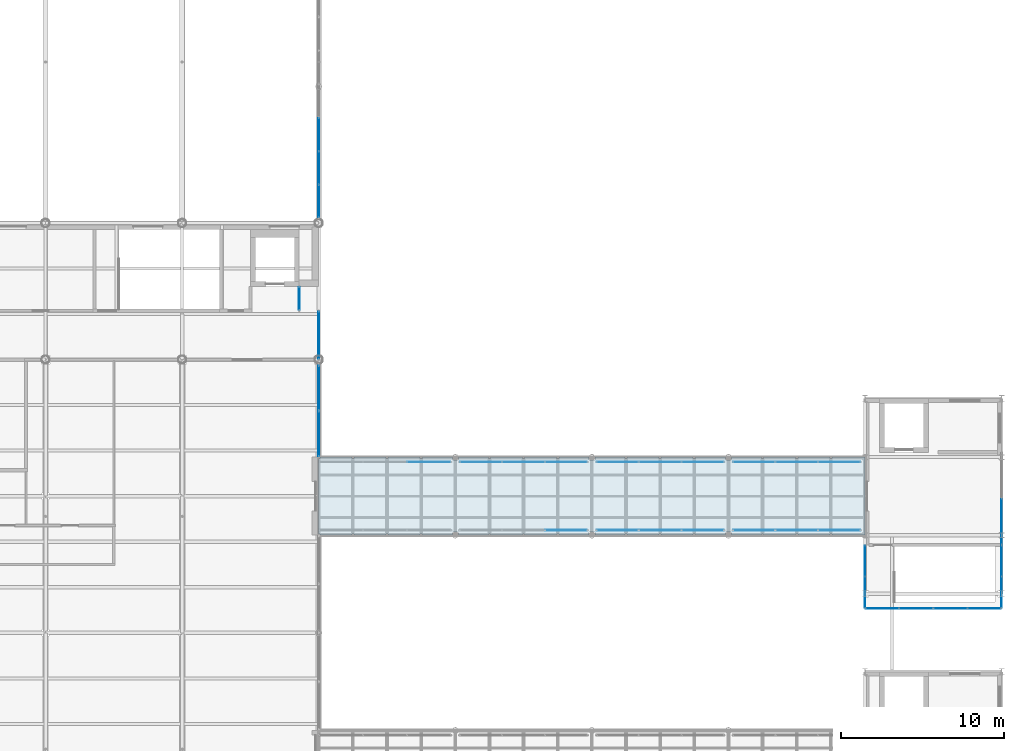
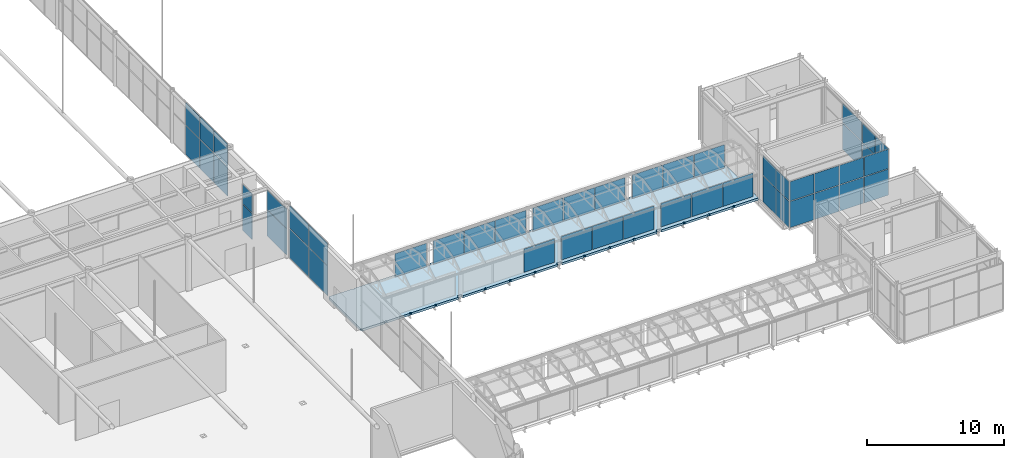
# One storey, part 146 of 167: 49 plates, 1 slab, 15 elements without a shape of their own.
"""IFC4 building model written with IfcOpenShell, lengths in metres."""

from ifc_helpers import new_model, si_unit, direction, frame, origin, origin_2d, place, context, subcontext, project, spatial, polyline, rectangle, outline, extrude, material, layer, layer_set, type_object, element, aggregate, save


model = new_model("IFC4")

# Units and contexts
model_context = context("Model", 3, precision=1e-05, world=origin(), true_north=direction((0.0, 1.0)))
body_context = subcontext(model_context, "Body", "Model", "MODEL_VIEW")
ifc_project = project(units=[si_unit("LENGTHUNIT", "METRE"), si_unit("AREAUNIT", "SQUARE_METRE"), si_unit("VOLUMEUNIT", "CUBIC_METRE"), si_unit("PLANEANGLEUNIT", "RADIAN"), si_unit("MASSUNIT", "GRAM", prefix="KILO")], contexts=[model_context])

# Site, building, storey
site_placement = place(None, origin())
site = spatial("IfcSite", under=ifc_project, at=site_placement, CompositionType="ELEMENT")
building_placement = place(site_placement, origin())
building = spatial("IfcBuilding", under=site, at=building_placement, Name="Catenary Quay Ferry Terminal", CompositionType="ELEMENT")
storey_placement = place(building_placement, frame((0.0, 0.0, 6.0)))
storey = spatial("IfcBuildingStorey", under=building, at=storey_placement, Name="L01", CompositionType="ELEMENT", Elevation=6.0)

# Slab
ifc_material_1 = material(Name="Concrete C35/45", Category="concrete")
ifc_layer_1 = layer(ifc_material_1, 0.199951171875)
ifc_layer_set_1 = layer_set([ifc_layer_1], Name="Composite floor slab 200")
slab_type = type_object("IfcSlabType", Name="Composite floor slab 200", PredefinedType="FLOOR", material=ifc_layer_set_1)
slab_placement = place(storey_placement, frame((0.0, 0.0, -0.199951171875)))
element("IfcSlab", 1, at=slab_placement, inside=storey, type_object=slab_type, Name="Boarding bridge floor slab BB2", PredefinedType="FLOOR", context=body_context, shape_type="SweptSolid", body=[
    extrude(outline(polyline([(126.0, 94.800048828125), (126.0, 90.0), (123.967041015625, 90.0), (123.967041015625, 90.06689453125), (123.8330078125, 90.06689453125), (123.8330078125, 90.0), (121.866943359375, 90.0), (121.866943359375, 90.06689453125), (121.73291015625, 90.06689453125), (121.73291015625, 90.0), (119.76708984375, 90.0), (119.76708984375, 90.06689453125), (119.633056640625, 90.06689453125), (119.633056640625, 90.0), (117.787841796875, 90.0), (117.787841796875, 90.187744140625), (117.412109375, 90.187744140625), (117.412109375, 90.0), (115.56689453125, 90.0), (115.56689453125, 90.06689453125), (115.43310546875, 90.06689453125), (115.43310546875, 90.0), (113.467041015625, 90.0), (113.467041015625, 90.06689453125), (113.3330078125, 90.06689453125), (113.3330078125, 90.0), (111.366943359375, 90.0), (111.366943359375, 90.06689453125), (111.23291015625, 90.06689453125), (111.23291015625, 90.0), (109.3876953125, 90.0), (109.3876953125, 90.187744140625), (109.01220703125, 90.187744140625), (109.01220703125, 90.0), (107.1669921875, 90.0), (107.1669921875, 90.06689453125), (107.032958984375, 90.06689453125), (107.032958984375, 90.0), (105.06689453125, 90.0), (105.06689453125, 90.06689453125), (104.93310546875, 90.06689453125), (104.93310546875, 90.0), (102.967041015625, 90.0), (102.967041015625, 90.06689453125), (102.8330078125, 90.06689453125), (102.8330078125, 90.0), (100.98779296875, 90.0), (100.98779296875, 90.187744140625), (100.6123046875, 90.187744140625), (100.6123046875, 90.0), (98.76708984375, 90.0), (98.76708984375, 90.06689453125), (98.633056640625, 90.06689453125), (98.633056640625, 90.0), (96.6669921875, 90.0), (96.6669921875, 90.06689453125), (96.532958984375, 90.06689453125), (96.532958984375, 90.0), (94.56689453125, 90.0), (94.56689453125, 90.06689453125), (94.43310546875, 90.06689453125), (94.43310546875, 90.0), (92.467041015625, 90.0), (92.467041015625, 90.06689453125), (92.39990234375, 90.06689453125), (92.39990234375, 94.73291015625), (92.467041015625, 94.73291015625), (92.467041015625, 94.800048828125), (94.43310546875, 94.800048828125), (94.43310546875, 94.73291015625), (94.56689453125, 94.73291015625), (94.56689453125, 94.800048828125), (96.532958984375, 94.800048828125), (96.532958984375, 94.73291015625), (96.6669921875, 94.73291015625), (96.6669921875, 94.800048828125), (98.633056640625, 94.800048828125), (98.633056640625, 94.73291015625), (98.76708984375, 94.73291015625), (98.76708984375, 94.800048828125), (100.6123046875, 94.800048828125), (100.6123046875, 94.6123046875), (100.98779296875, 94.6123046875), (100.98779296875, 94.800048828125), (102.8330078125, 94.800048828125), (102.8330078125, 94.73291015625), (102.967041015625, 94.73291015625), (102.967041015625, 94.800048828125), (104.93310546875, 94.800048828125), (104.93310546875, 94.73291015625), (105.06689453125, 94.73291015625), (105.06689453125, 94.800048828125), (107.032958984375, 94.800048828125), (107.032958984375, 94.73291015625), (107.1669921875, 94.73291015625), (107.1669921875, 94.800048828125), (109.01220703125, 94.800048828125), (109.01220703125, 94.6123046875), (109.3876953125, 94.6123046875), (109.3876953125, 94.800048828125), (111.23291015625, 94.800048828125), (111.23291015625, 94.73291015625), (111.366943359375, 94.73291015625), (111.366943359375, 94.800048828125), (113.3330078125, 94.800048828125), (113.3330078125, 94.73291015625), (113.467041015625, 94.73291015625), (113.467041015625, 94.800048828125), (115.43310546875, 94.800048828125), (115.43310546875, 94.73291015625), (115.56689453125, 94.73291015625), (115.56689453125, 94.800048828125), (117.412109375, 94.800048828125), (117.412109375, 94.6123046875), (117.787841796875, 94.6123046875), (117.787841796875, 94.800048828125), (119.633056640625, 94.800048828125), (119.633056640625, 94.73291015625), (119.76708984375, 94.73291015625), (119.76708984375, 94.800048828125), (121.73291015625, 94.800048828125), (121.73291015625, 94.73291015625), (121.866943359375, 94.73291015625), (121.866943359375, 94.800048828125), (123.8330078125, 94.800048828125), (123.8330078125, 94.73291015625), (123.967041015625, 94.73291015625), (123.967041015625, 94.800048828125), (126.0, 94.800048828125)])), origin(), (0.0, 0.0, 1.0), 0.199951171875),
])

# Curtain wall, plates
ifc_material_2 = material(Name="Aluminium and glass", Category="aluminium")
curtain_wall_type_1 = type_object("IfcCurtainWallType", Name="CWM", PredefinedType="NOTDEFINED", material=ifc_material_2)
curtain_wall_1_placement = place(storey_placement, origin())
curtain_wall_1 = element("IfcCurtainWall", 2, at=curtain_wall_1_placement, inside=storey, type_object=curtain_wall_type_1, Name="Gable arrivals hall curtain wall CW11", PredefinedType="NOTDEFINED")
ifc_material_3 = material(Name="Glass", Category="glass")
ifc_layer_2 = layer(ifc_material_3, 0.031982421875)
ifc_layer_set_2 = layer_set([ifc_layer_2], Name="PN1")
plate_type_1 = type_object("IfcPlateType", Name="PN1", PredefinedType="CURTAIN_PANEL", material=ifc_layer_set_2)
plate_1_placement = place(storey_placement, frame((92.39990234375, 96.242431640625, 0.06005859375), z_axis=(0.0, 0.0, 1.0), x_axis=(0.0, 1.0, 0.0)))
plate_1 = element("IfcPlate", 3, at=plate_1_placement, type_object=plate_type_1, Name="CW11 panel 1.1", PredefinedType="CURTAIN_PANEL", context=body_context, shape_type="SweptSolid", body=[
    extrude(rectangle(XDim=2.7451171875, YDim=0.031982421875, at=origin_2d()), origin(), (0.0, 0.0, 1.0), 2.610107421875),
])
plate_2_placement = place(storey_placement, frame((92.39990234375, 96.242431640625, 2.72998046875), z_axis=(0.0, 0.0, 1.0), x_axis=(0.0, 1.0, 0.0)))
plate_2 = element("IfcPlate", 4, at=plate_2_placement, type_object=plate_type_1, Name="CW11 panel 1.2", PredefinedType="CURTAIN_PANEL", context=body_context, shape_type="SweptSolid", body=[
    extrude(rectangle(XDim=2.7451171875, YDim=0.031982421875, at=origin_2d()), origin(), (0.0, 0.0, 1.0), 2.010009765625),
])
plate_3_placement = place(storey_placement, frame((92.39990234375, 99.0576171875, 0.06005859375), z_axis=(0.0, 0.0, 1.0), x_axis=(0.0, 1.0, 0.0)))
plate_3 = element("IfcPlate", 5, at=plate_3_placement, type_object=plate_type_1, Name="CW11 panel 2.1", PredefinedType="CURTAIN_PANEL", context=body_context, shape_type="SweptSolid", body=[
    extrude(rectangle(XDim=2.7451171875, YDim=0.031982421875, at=origin_2d()), origin(), (0.0, 0.0, 1.0), 2.610107421875),
])
plate_4_placement = place(storey_placement, frame((92.39990234375, 99.0576171875, 2.72998046875), z_axis=(0.0, 0.0, 1.0), x_axis=(0.0, 1.0, 0.0)))
plate_4 = element("IfcPlate", 6, at=plate_4_placement, type_object=plate_type_1, Name="CW11 panel 2.2", PredefinedType="CURTAIN_PANEL", context=body_context, shape_type="SweptSolid", body=[
    extrude(rectangle(XDim=2.7451171875, YDim=0.031982421875, at=origin_2d()), origin(), (0.0, 0.0, 1.0), 2.010009765625),
])
aggregate(curtain_wall_1, [plate_1, plate_2, plate_3, plate_4])

ifc_material_4 = material(Name="Aluminium and glass", Category="aluminium")
curtain_wall_type_2 = type_object("IfcCurtainWallType", Name="CWG", PredefinedType="NOTDEFINED", material=ifc_material_4)
curtain_wall_2_placement = place(storey_placement, origin())
curtain_wall_2 = element("IfcCurtainWall", 7, at=curtain_wall_2_placement, inside=storey, type_object=curtain_wall_type_2, Name="Gable departure hall curtain wall CW20", PredefinedType="NOTDEFINED")
plate_5_placement = place(storey_placement, frame((92.39990234375, 110.546142578125, 0.06005859375), z_axis=(0.0, 0.0, 1.0), x_axis=(0.0, 1.0, 0.0)))
plate_5 = element("IfcPlate", 8, at=plate_5_placement, type_object=plate_type_1, Name="CW20 panel 1.1", PredefinedType="CURTAIN_PANEL", context=body_context, shape_type="SweptSolid", body=[
    extrude(rectangle(XDim=1.972412109375, YDim=0.031982421875, at=origin_2d()), origin(), (0.0, 0.0, 1.0), 2.610107421875),
])
plate_6_placement = place(storey_placement, frame((92.39990234375, 110.546142578125, 2.72998046875), z_axis=(0.0, 0.0, 1.0), x_axis=(0.0, 1.0, 0.0)))
plate_6 = element("IfcPlate", 9, at=plate_6_placement, type_object=plate_type_1, Name="CW20 panel 1.2", PredefinedType="CURTAIN_PANEL", context=body_context, shape_type="SweptSolid", body=[
    extrude(rectangle(XDim=1.972412109375, YDim=0.031982421875, at=origin_2d()), origin(), (0.0, 0.0, 1.0), 2.010009765625),
])
plate_7_placement = place(storey_placement, frame((92.39990234375, 112.59375, 0.06005859375), z_axis=(0.0, 0.0, 1.0), x_axis=(0.0, 1.0, 0.0)))
plate_7 = element("IfcPlate", 10, at=plate_7_placement, type_object=plate_type_1, Name="CW20 panel 2.1", PredefinedType="CURTAIN_PANEL", context=body_context, shape_type="SweptSolid", body=[
    extrude(rectangle(XDim=2.00244140625, YDim=0.031982421875, at=origin_2d()), origin(), (0.0, 0.0, 1.0), 2.610107421875),
])
plate_8_placement = place(storey_placement, frame((92.39990234375, 112.59375, 2.72998046875), z_axis=(0.0, 0.0, 1.0), x_axis=(0.0, 1.0, 0.0)))
plate_8 = element("IfcPlate", 11, at=plate_8_placement, type_object=plate_type_1, Name="CW20 panel 2.2", PredefinedType="CURTAIN_PANEL", context=body_context, shape_type="SweptSolid", body=[
    extrude(rectangle(XDim=2.00244140625, YDim=0.031982421875, at=origin_2d()), origin(), (0.0, 0.0, 1.0), 2.010009765625),
])
plate_9_placement = place(storey_placement, frame((92.39990234375, 114.65625, 0.06005859375), z_axis=(0.0, 0.0, 1.0), x_axis=(0.0, 1.0, 0.0)))
plate_9 = element("IfcPlate", 12, at=plate_9_placement, type_object=plate_type_1, Name="CW20 panel 3.1", PredefinedType="CURTAIN_PANEL", context=body_context, shape_type="SweptSolid", body=[
    extrude(rectangle(XDim=2.00244140625, YDim=0.031982421875, at=origin_2d()), origin(), (0.0, 0.0, 1.0), 2.610107421875),
])
plate_10_placement = place(storey_placement, frame((92.39990234375, 114.65625, 2.72998046875), z_axis=(0.0, 0.0, 1.0), x_axis=(0.0, 1.0, 0.0)))
plate_10 = element("IfcPlate", 13, at=plate_10_placement, type_object=plate_type_1, Name="CW20 panel 3.2", PredefinedType="CURTAIN_PANEL", context=body_context, shape_type="SweptSolid", body=[
    extrude(rectangle(XDim=2.00244140625, YDim=0.031982421875, at=origin_2d()), origin(), (0.0, 0.0, 1.0), 2.010009765625),
])
aggregate(curtain_wall_2, [plate_5, plate_6, plate_7, plate_8, plate_9, plate_10])

ifc_material_5 = material(Name="Aluminium and glass", Category="aluminium")
curtain_wall_type_3 = type_object("IfcCurtainWallType", Name="CWT", PredefinedType="NOTDEFINED", material=ifc_material_5)
curtain_wall_3_placement = place(storey_placement, origin())
curtain_wall_3 = element("IfcCurtainWall", 14, at=curtain_wall_3_placement, inside=storey, type_object=curtain_wall_type_3, Name="Spine corridor curtain wall CW74", PredefinedType="NOTDEFINED")
ifc_material_6 = material(Name="Glass", Category="glass")
ifc_layer_3 = layer(ifc_material_6, 0.0400390625)
ifc_layer_set_3 = layer_set([ifc_layer_3], Name="PN2")
plate_type_2 = type_object("IfcPlateType", Name="PN2", PredefinedType="CURTAIN_PANEL", material=ifc_layer_set_3)
plate_11_placement = place(storey_placement, frame((91.199951171875, 104.550048828125, 0.0498046875), z_axis=(0.0, 0.0, 1.0), x_axis=(0.0, 1.0, 0.0)))
plate_11 = element("IfcPlate", 15, at=plate_11_placement, type_object=plate_type_2, Name="CW74 panel 1.1", PredefinedType="CURTAIN_PANEL", context=body_context, shape_type="SweptSolid", body=[
    extrude(rectangle(XDim=1.3798828125, YDim=0.0400390625, at=origin_2d()), origin(), (0.0, 0.0, 1.0), 2.324951171875),
])
plate_12_placement = place(storey_placement, frame((91.199951171875, 104.550048828125, 2.425048828125), z_axis=(0.0, 0.0, 1.0), x_axis=(0.0, 1.0, 0.0)))
plate_12 = element("IfcPlate", 16, at=plate_12_placement, type_object=plate_type_2, Name="CW74 panel 1.2", PredefinedType="CURTAIN_PANEL", context=body_context, shape_type="SweptSolid", body=[
    extrude(rectangle(XDim=1.3798828125, YDim=0.0400390625, at=origin_2d()), origin(), (0.0, 0.0, 1.0), 1.72509765625),
])
aggregate(curtain_wall_3, [plate_11, plate_12])

curtain_wall_4_placement = place(storey_placement, origin())
curtain_wall_4 = element("IfcCurtainWall", 17, at=curtain_wall_4_placement, inside=storey, type_object=curtain_wall_type_3, Name="Spine corridor curtain wall CW75", PredefinedType="NOTDEFINED")
plate_13_placement = place(storey_placement, frame((92.39990234375, 102.300048828125, 0.0498046875), z_axis=(0.0, 0.0, 1.0), x_axis=(0.0, 1.0, 0.0)))
plate_13 = element("IfcPlate", 18, at=plate_13_placement, type_object=plate_type_2, Name="CW75 panel 1.1", PredefinedType="CURTAIN_PANEL", context=body_context, shape_type="SweptSolid", body=[
    extrude(rectangle(XDim=2.8798828125, YDim=0.0400390625, at=origin_2d()), origin(), (0.0, 0.0, 1.0), 2.324951171875),
])
plate_14_placement = place(storey_placement, frame((92.39990234375, 102.300048828125, 2.425048828125), z_axis=(0.0, 0.0, 1.0), x_axis=(0.0, 1.0, 0.0)))
plate_14 = element("IfcPlate", 19, at=plate_14_placement, type_object=plate_type_2, Name="CW75 panel 1.2", PredefinedType="CURTAIN_PANEL", context=body_context, shape_type="SweptSolid", body=[
    extrude(rectangle(XDim=2.8798828125, YDim=0.0400390625, at=origin_2d()), origin(), (0.0, 0.0, 1.0), 1.72509765625),
])
aggregate(curtain_wall_4, [plate_13, plate_14])

ifc_material_7 = material(Name="Aluminium and glass", Category="aluminium")
curtain_wall_type_4 = type_object("IfcCurtainWallType", Name="CWK", PredefinedType="NOTDEFINED", material=ifc_material_7)
curtain_wall_5_placement = place(storey_placement, origin())
curtain_wall_5 = element("IfcCurtainWall", 20, at=curtain_wall_5_placement, inside=storey, type_object=curtain_wall_type_4, Name="Head berth 2 stair curtain wall CW88", PredefinedType="NOTDEFINED")
ifc_material_8 = material(Name="Glass", Category="glass")
ifc_layer_4 = layer(ifc_material_8, 0.02490234375)
ifc_layer_set_4 = layer_set([ifc_layer_4], Name="PN3")
plate_type_3 = type_object("IfcPlateType", Name="PN3", PredefinedType="CURTAIN_PANEL", material=ifc_layer_set_4)
plate_15_placement = place(storey_placement, frame((127.0625, 85.5, 0.0498046875), z_axis=(0.0, 0.0, 1.0), x_axis=(1.0, 0.0, 0.0)))
plate_15 = element("IfcPlate", 21, at=plate_15_placement, type_object=plate_type_3, Name="CW88 panel 1.1", PredefinedType="CURTAIN_PANEL", context=body_context, shape_type="SweptSolid", body=[
    extrude(rectangle(XDim=2.02490234375, YDim=0.02490234375, at=origin_2d()), origin(), (0.0, 0.0, 1.0), 2.324951171875),
])
plate_16_placement = place(storey_placement, frame((127.0625, 85.5, 2.425048828125), z_axis=(0.0, 0.0, 1.0), x_axis=(1.0, 0.0, 0.0)))
plate_16 = element("IfcPlate", 22, at=plate_16_placement, type_object=plate_type_3, Name="CW88 panel 1.2", PredefinedType="CURTAIN_PANEL", context=body_context, shape_type="SweptSolid", body=[
    extrude(rectangle(XDim=2.02490234375, YDim=0.02490234375, at=origin_2d()), origin(), (0.0, 0.0, 1.0), 1.72509765625),
])
plate_17_placement = place(storey_placement, frame((129.14990234375, 85.5, 0.0498046875), z_axis=(0.0, 0.0, 1.0), x_axis=(1.0, 0.0, 0.0)))
plate_17 = element("IfcPlate", 23, at=plate_17_placement, type_object=plate_type_3, Name="CW88 panel 2.1", PredefinedType="CURTAIN_PANEL", context=body_context, shape_type="SweptSolid", body=[
    extrude(rectangle(XDim=2.050048828125, YDim=0.02490234375, at=origin_2d()), origin(), (0.0, 0.0, 1.0), 2.324951171875),
])
plate_18_placement = place(storey_placement, frame((129.14990234375, 85.5, 2.425048828125), z_axis=(0.0, 0.0, 1.0), x_axis=(1.0, 0.0, 0.0)))
plate_18 = element("IfcPlate", 24, at=plate_18_placement, type_object=plate_type_3, Name="CW88 panel 2.2", PredefinedType="CURTAIN_PANEL", context=body_context, shape_type="SweptSolid", body=[
    extrude(rectangle(XDim=2.050048828125, YDim=0.02490234375, at=origin_2d()), origin(), (0.0, 0.0, 1.0), 1.72509765625),
])
plate_19_placement = place(storey_placement, frame((131.25, 85.5, 0.0498046875), z_axis=(0.0, 0.0, 1.0), x_axis=(1.0, 0.0, 0.0)))
plate_19 = element("IfcPlate", 25, at=plate_19_placement, type_object=plate_type_3, Name="CW88 panel 3.1", PredefinedType="CURTAIN_PANEL", context=body_context, shape_type="SweptSolid", body=[
    extrude(rectangle(XDim=2.050048828125, YDim=0.02490234375, at=origin_2d()), origin(), (0.0, 0.0, 1.0), 2.324951171875),
])
plate_20_placement = place(storey_placement, frame((131.25, 85.5, 2.425048828125), z_axis=(0.0, 0.0, 1.0), x_axis=(1.0, 0.0, 0.0)))
plate_20 = element("IfcPlate", 26, at=plate_20_placement, type_object=plate_type_3, Name="CW88 panel 3.2", PredefinedType="CURTAIN_PANEL", context=body_context, shape_type="SweptSolid", body=[
    extrude(rectangle(XDim=2.050048828125, YDim=0.02490234375, at=origin_2d()), origin(), (0.0, 0.0, 1.0), 1.72509765625),
])
plate_21_placement = place(storey_placement, frame((133.33740234375, 85.5, 0.0498046875), z_axis=(0.0, 0.0, 1.0), x_axis=(1.0, 0.0, 0.0)))
plate_21 = element("IfcPlate", 27, at=plate_21_placement, type_object=plate_type_3, Name="CW88 panel 4.1", PredefinedType="CURTAIN_PANEL", context=body_context, shape_type="SweptSolid", body=[
    extrude(rectangle(XDim=2.02490234375, YDim=0.02490234375, at=origin_2d()), origin(), (0.0, 0.0, 1.0), 2.324951171875),
])
plate_22_placement = place(storey_placement, frame((133.33740234375, 85.5, 2.425048828125), z_axis=(0.0, 0.0, 1.0), x_axis=(1.0, 0.0, 0.0)))
plate_22 = element("IfcPlate", 28, at=plate_22_placement, type_object=plate_type_3, Name="CW88 panel 4.2", PredefinedType="CURTAIN_PANEL", context=body_context, shape_type="SweptSolid", body=[
    extrude(rectangle(XDim=2.02490234375, YDim=0.02490234375, at=origin_2d()), origin(), (0.0, 0.0, 1.0), 1.72509765625),
])
aggregate(curtain_wall_5, [plate_15, plate_16, plate_17, plate_18, plate_19, plate_20, plate_21, plate_22])

curtain_wall_6_placement = place(storey_placement, origin())
curtain_wall_6 = element("IfcCurtainWall", 29, at=curtain_wall_6_placement, inside=storey, type_object=curtain_wall_type_4, Name="Head berth 2 stair curtain wall CW89", PredefinedType="NOTDEFINED")
plate_23_placement = place(storey_placement, frame((134.39990234375, 86.487548828125, 0.0498046875), z_axis=(0.0, 0.0, 1.0), x_axis=(0.0, 1.0, 0.0)))
plate_23 = element("IfcPlate", 30, at=plate_23_placement, type_object=plate_type_3, Name="CW89 panel 1.1", PredefinedType="CURTAIN_PANEL", context=body_context, shape_type="SweptSolid", body=[
    extrude(rectangle(XDim=1.875, YDim=0.02490234375, at=origin_2d()), origin(), (0.0, 0.0, 1.0), 2.324951171875),
])
plate_24_placement = place(storey_placement, frame((134.39990234375, 86.487548828125, 2.425048828125), z_axis=(0.0, 0.0, 1.0), x_axis=(0.0, 1.0, 0.0)))
plate_24 = element("IfcPlate", 31, at=plate_24_placement, type_object=plate_type_3, Name="CW89 panel 1.2", PredefinedType="CURTAIN_PANEL", context=body_context, shape_type="SweptSolid", body=[
    extrude(rectangle(XDim=1.875, YDim=0.02490234375, at=origin_2d()), origin(), (0.0, 0.0, 1.0), 1.72509765625),
])
plate_25_placement = place(storey_placement, frame((134.39990234375, 88.41259765625, 0.0498046875), z_axis=(0.0, 0.0, 1.0), x_axis=(0.0, 1.0, 0.0)))
plate_25 = element("IfcPlate", 32, at=plate_25_placement, type_object=plate_type_3, Name="CW89 panel 2.1", PredefinedType="CURTAIN_PANEL", context=body_context, shape_type="SweptSolid", body=[
    extrude(rectangle(XDim=1.875, YDim=0.02490234375, at=origin_2d()), origin(), (0.0, 0.0, 1.0), 2.324951171875),
])
plate_26_placement = place(storey_placement, frame((134.39990234375, 88.41259765625, 2.425048828125), z_axis=(0.0, 0.0, 1.0), x_axis=(0.0, 1.0, 0.0)))
plate_26 = element("IfcPlate", 33, at=plate_26_placement, type_object=plate_type_3, Name="CW89 panel 2.2", PredefinedType="CURTAIN_PANEL", context=body_context, shape_type="SweptSolid", body=[
    extrude(rectangle(XDim=1.875, YDim=0.02490234375, at=origin_2d()), origin(), (0.0, 0.0, 1.0), 1.72509765625),
])
aggregate(curtain_wall_6, [plate_23, plate_24, plate_25, plate_26])

curtain_wall_7_placement = place(storey_placement, origin())
curtain_wall_7 = element("IfcCurtainWall", 34, at=curtain_wall_7_placement, inside=storey, type_object=curtain_wall_type_4, Name="Head berth 2 stair curtain wall CW90", PredefinedType="NOTDEFINED")
plate_27_placement = place(storey_placement, frame((126.0, 86.487548828125, 0.0498046875), z_axis=(0.0, 0.0, 1.0), x_axis=(0.0, 1.0, 0.0)))
plate_27 = element("IfcPlate", 35, at=plate_27_placement, type_object=plate_type_3, Name="CW90 panel 1.1", PredefinedType="CURTAIN_PANEL", context=body_context, shape_type="SweptSolid", body=[
    extrude(rectangle(XDim=1.875, YDim=0.02490234375, at=origin_2d()), origin(), (0.0, 0.0, 1.0), 2.324951171875),
])
plate_28_placement = place(storey_placement, frame((126.0, 86.487548828125, 2.425048828125), z_axis=(0.0, 0.0, 1.0), x_axis=(0.0, 1.0, 0.0)))
plate_28 = element("IfcPlate", 36, at=plate_28_placement, type_object=plate_type_3, Name="CW90 panel 1.2", PredefinedType="CURTAIN_PANEL", context=body_context, shape_type="SweptSolid", body=[
    extrude(rectangle(XDim=1.875, YDim=0.02490234375, at=origin_2d()), origin(), (0.0, 0.0, 1.0), 1.72509765625),
])
plate_29_placement = place(storey_placement, frame((126.0, 88.41259765625, 0.0498046875), z_axis=(0.0, 0.0, 1.0), x_axis=(0.0, 1.0, 0.0)))
plate_29 = element("IfcPlate", 37, at=plate_29_placement, type_object=plate_type_3, Name="CW90 panel 2.1", PredefinedType="CURTAIN_PANEL", context=body_context, shape_type="SweptSolid", body=[
    extrude(rectangle(XDim=1.875, YDim=0.02490234375, at=origin_2d()), origin(), (0.0, 0.0, 1.0), 2.324951171875),
])
plate_30_placement = place(storey_placement, frame((126.0, 88.41259765625, 2.425048828125), z_axis=(0.0, 0.0, 1.0), x_axis=(0.0, 1.0, 0.0)))
plate_30 = element("IfcPlate", 38, at=plate_30_placement, type_object=plate_type_3, Name="CW90 panel 2.2", PredefinedType="CURTAIN_PANEL", context=body_context, shape_type="SweptSolid", body=[
    extrude(rectangle(XDim=1.875, YDim=0.02490234375, at=origin_2d()), origin(), (0.0, 0.0, 1.0), 1.72509765625),
])
aggregate(curtain_wall_7, [plate_27, plate_28, plate_29, plate_30])

curtain_wall_8_placement = place(storey_placement, origin())
curtain_wall_8 = element("IfcCurtainWall", 39, at=curtain_wall_8_placement, inside=storey, type_object=curtain_wall_type_4, Name="Head berth 2 landing curtain wall CW91", PredefinedType="NOTDEFINED")
plate_31_placement = place(storey_placement, frame((134.39990234375, 90.83740234375, 0.0498046875), z_axis=(0.0, 0.0, 1.0), x_axis=(0.0, 1.0, 0.0)))
plate_31 = element("IfcPlate", 40, at=plate_31_placement, type_object=plate_type_3, Name="CW91 panel 1.1", PredefinedType="CURTAIN_PANEL", context=body_context, shape_type="SweptSolid", body=[
    extrude(rectangle(XDim=2.77490234375, YDim=0.02490234375, at=origin_2d()), origin(), (0.0, 0.0, 1.0), 2.324951171875),
])
plate_32_placement = place(storey_placement, frame((134.39990234375, 90.83740234375, 2.425048828125), z_axis=(0.0, 0.0, 1.0), x_axis=(0.0, 1.0, 0.0)))
plate_32 = element("IfcPlate", 41, at=plate_32_placement, type_object=plate_type_3, Name="CW91 panel 1.2", PredefinedType="CURTAIN_PANEL", context=body_context, shape_type="SweptSolid", body=[
    extrude(rectangle(XDim=2.77490234375, YDim=0.02490234375, at=origin_2d()), origin(), (0.0, 0.0, 1.0), 1.72509765625),
])
aggregate(curtain_wall_8, [plate_31, plate_32])

# Curtain wall, plate
ifc_material_9 = material(Name="Aluminium and glass", Category="aluminium")
curtain_wall_type_5 = type_object("IfcCurtainWallType", Name="CWB", PredefinedType="NOTDEFINED", material=ifc_material_9)
curtain_wall_9_placement = place(storey_placement, origin())
curtain_wall_9 = element("IfcCurtainWall", 42, at=curtain_wall_9_placement, inside=storey, type_object=curtain_wall_type_5, Name="BB2 curtain wall CW65", PredefinedType="NOTDEFINED")
ifc_material_10 = material(Name="Ceramic tile facing on insulated backing")
ifc_layer_5 = layer(ifc_material_10, 0.050048828125)
ifc_layer_set_5 = layer_set([ifc_layer_5], Name="PN8")
plate_type_4 = type_object("IfcPlateType", Name="PN8", PredefinedType="CURTAIN_PANEL", material=ifc_layer_set_5)
plate_33_placement = place(storey_placement, frame((107.620849609375, 90.300048828125, 0.0498046875), z_axis=(0.0, 0.0, 1.0), x_axis=(1.0, 0.0, 0.0)))
plate_33 = element("IfcPlate", 43, at=plate_33_placement, type_object=plate_type_4, Name="CW65 panel 3.1", PredefinedType="CURTAIN_PANEL", context=body_context, shape_type="SweptSolid", body=[
    extrude(rectangle(XDim=2.558349609375, YDim=0.050048828125, at=origin_2d()), origin(), (0.0, 0.0, 1.0), 2.094970703125),
])
aggregate(curtain_wall_9, [plate_33])

# Curtain wall, plates
curtain_wall_10_placement = place(storey_placement, origin())
curtain_wall_10 = element("IfcCurtainWall", 44, at=curtain_wall_10_placement, inside=storey, type_object=curtain_wall_type_5, Name="BB2 curtain wall CW66", PredefinedType="NOTDEFINED")
plate_34_placement = place(storey_placement, frame((110.779052734375, 90.300048828125, 0.0498046875), z_axis=(0.0, 0.0, 1.0), x_axis=(1.0, 0.0, 0.0)))
plate_34 = element("IfcPlate", 45, at=plate_34_placement, type_object=plate_type_4, Name="CW66 panel 1.1", PredefinedType="CURTAIN_PANEL", context=body_context, shape_type="SweptSolid", body=[
    extrude(rectangle(XDim=2.558349609375, YDim=0.050048828125, at=origin_2d()), origin(), (0.0, 0.0, 1.0), 2.094970703125),
])
plate_35_placement = place(storey_placement, frame((113.39990234375, 90.300048828125, 0.0498046875), z_axis=(0.0, 0.0, 1.0), x_axis=(1.0, 0.0, 0.0)))
plate_35 = element("IfcPlate", 46, at=plate_35_placement, type_object=plate_type_4, Name="CW66 panel 2.1", PredefinedType="CURTAIN_PANEL", context=body_context, shape_type="SweptSolid", body=[
    extrude(rectangle(XDim=2.583251953125, YDim=0.050048828125, at=origin_2d()), origin(), (0.0, 0.0, 1.0), 2.094970703125),
])
plate_36_placement = place(storey_placement, frame((116.020751953125, 90.300048828125, 0.0498046875), z_axis=(0.0, 0.0, 1.0), x_axis=(1.0, 0.0, 0.0)))
plate_36 = element("IfcPlate", 47, at=plate_36_placement, type_object=plate_type_4, Name="CW66 panel 3.1", PredefinedType="CURTAIN_PANEL", context=body_context, shape_type="SweptSolid", body=[
    extrude(rectangle(XDim=2.558349609375, YDim=0.050048828125, at=origin_2d()), origin(), (0.0, 0.0, 1.0), 2.094970703125),
])
aggregate(curtain_wall_10, [plate_34, plate_35, plate_36])

curtain_wall_11_placement = place(storey_placement, origin())
curtain_wall_11 = element("IfcCurtainWall", 48, at=curtain_wall_11_placement, inside=storey, type_object=curtain_wall_type_5, Name="BB2 curtain wall CW67", PredefinedType="NOTDEFINED")
plate_37_placement = place(storey_placement, frame((119.17919921875, 90.300048828125, 0.0498046875), z_axis=(0.0, 0.0, 1.0), x_axis=(1.0, 0.0, 0.0)))
plate_37 = element("IfcPlate", 49, at=plate_37_placement, type_object=plate_type_4, Name="CW67 panel 1.1", PredefinedType="CURTAIN_PANEL", context=body_context, shape_type="SweptSolid", body=[
    extrude(rectangle(XDim=2.558349609375, YDim=0.050048828125, at=origin_2d()), origin(), (0.0, 0.0, 1.0), 2.094970703125),
])
plate_38_placement = place(storey_placement, frame((121.800048828125, 90.300048828125, 0.0498046875), z_axis=(0.0, 0.0, 1.0), x_axis=(1.0, 0.0, 0.0)))
plate_38 = element("IfcPlate", 50, at=plate_38_placement, type_object=plate_type_4, Name="CW67 panel 2.1", PredefinedType="CURTAIN_PANEL", context=body_context, shape_type="SweptSolid", body=[
    extrude(rectangle(XDim=2.583251953125, YDim=0.050048828125, at=origin_2d()), origin(), (0.0, 0.0, 1.0), 2.094970703125),
])
plate_39_placement = place(storey_placement, frame((124.4208984375, 90.300048828125, 0.0498046875), z_axis=(0.0, 0.0, 1.0), x_axis=(1.0, 0.0, 0.0)))
plate_39 = element("IfcPlate", 51, at=plate_39_placement, type_object=plate_type_4, Name="CW67 panel 3.1", PredefinedType="CURTAIN_PANEL", context=body_context, shape_type="SweptSolid", body=[
    extrude(rectangle(XDim=2.558349609375, YDim=0.050048828125, at=origin_2d()), origin(), (0.0, 0.0, 1.0), 2.094970703125),
])
aggregate(curtain_wall_11, [plate_37, plate_38, plate_39])

# Curtain wall, plate
curtain_wall_12_placement = place(storey_placement, origin())
curtain_wall_12 = element("IfcCurtainWall", 52, at=curtain_wall_12_placement, inside=storey, type_object=curtain_wall_type_5, Name="BB2 curtain wall CW68", PredefinedType="NOTDEFINED")
plate_40_placement = place(storey_placement, frame((99.17919921875, 94.5, 0.0498046875), z_axis=(0.0, 0.0, 1.0), x_axis=(1.0, 0.0, 0.0)))
plate_40 = element("IfcPlate", 53, at=plate_40_placement, type_object=plate_type_4, Name="CW68 panel 3.1", PredefinedType="CURTAIN_PANEL", context=body_context, shape_type="SweptSolid", body=[
    extrude(rectangle(XDim=2.6416015625, YDim=0.050048828125, at=origin_2d()), origin(), (0.0, 0.0, 1.0), 2.094970703125),
])
aggregate(curtain_wall_12, [plate_40])

# Curtain wall, plates
curtain_wall_13_placement = place(storey_placement, origin())
curtain_wall_13 = element("IfcCurtainWall", 54, at=curtain_wall_13_placement, inside=storey, type_object=curtain_wall_type_5, Name="BB2 curtain wall CW69", PredefinedType="NOTDEFINED")
plate_41_placement = place(storey_placement, frame((102.379150390625, 94.5, 0.0498046875), z_axis=(0.0, 0.0, 1.0), x_axis=(1.0, 0.0, 0.0)))
plate_41 = element("IfcPlate", 55, at=plate_41_placement, type_object=plate_type_4, Name="CW69 panel 1.1", PredefinedType="CURTAIN_PANEL", context=body_context, shape_type="SweptSolid", body=[
    extrude(rectangle(XDim=2.558349609375, YDim=0.050048828125, at=origin_2d()), origin(), (0.0, 0.0, 1.0), 2.094970703125),
])
plate_42_placement = place(storey_placement, frame((105.0, 94.5, 0.0498046875), z_axis=(0.0, 0.0, 1.0), x_axis=(1.0, 0.0, 0.0)))
plate_42 = element("IfcPlate", 56, at=plate_42_placement, type_object=plate_type_4, Name="CW69 panel 2.1", PredefinedType="CURTAIN_PANEL", context=body_context, shape_type="SweptSolid", body=[
    extrude(rectangle(XDim=2.583251953125, YDim=0.050048828125, at=origin_2d()), origin(), (0.0, 0.0, 1.0), 2.094970703125),
])
plate_43_placement = place(storey_placement, frame((107.620849609375, 94.5, 0.0498046875), z_axis=(0.0, 0.0, 1.0), x_axis=(1.0, 0.0, 0.0)))
plate_43 = element("IfcPlate", 57, at=plate_43_placement, type_object=plate_type_4, Name="CW69 panel 3.1", PredefinedType="CURTAIN_PANEL", context=body_context, shape_type="SweptSolid", body=[
    extrude(rectangle(XDim=2.558349609375, YDim=0.050048828125, at=origin_2d()), origin(), (0.0, 0.0, 1.0), 2.094970703125),
])
aggregate(curtain_wall_13, [plate_41, plate_42, plate_43])

curtain_wall_14_placement = place(storey_placement, origin())
curtain_wall_14 = element("IfcCurtainWall", 58, at=curtain_wall_14_placement, inside=storey, type_object=curtain_wall_type_5, Name="BB2 curtain wall CW70", PredefinedType="NOTDEFINED")
plate_44_placement = place(storey_placement, frame((110.779052734375, 94.5, 0.0498046875), z_axis=(0.0, 0.0, 1.0), x_axis=(1.0, 0.0, 0.0)))
plate_44 = element("IfcPlate", 59, at=plate_44_placement, type_object=plate_type_4, Name="CW70 panel 1.1", PredefinedType="CURTAIN_PANEL", context=body_context, shape_type="SweptSolid", body=[
    extrude(rectangle(XDim=2.558349609375, YDim=0.050048828125, at=origin_2d()), origin(), (0.0, 0.0, 1.0), 2.094970703125),
])
plate_45_placement = place(storey_placement, frame((113.39990234375, 94.5, 0.0498046875), z_axis=(0.0, 0.0, 1.0), x_axis=(1.0, 0.0, 0.0)))
plate_45 = element("IfcPlate", 60, at=plate_45_placement, type_object=plate_type_4, Name="CW70 panel 2.1", PredefinedType="CURTAIN_PANEL", context=body_context, shape_type="SweptSolid", body=[
    extrude(rectangle(XDim=2.583251953125, YDim=0.050048828125, at=origin_2d()), origin(), (0.0, 0.0, 1.0), 2.094970703125),
])
plate_46_placement = place(storey_placement, frame((116.020751953125, 94.5, 0.0498046875), z_axis=(0.0, 0.0, 1.0), x_axis=(1.0, 0.0, 0.0)))
plate_46 = element("IfcPlate", 61, at=plate_46_placement, type_object=plate_type_4, Name="CW70 panel 3.1", PredefinedType="CURTAIN_PANEL", context=body_context, shape_type="SweptSolid", body=[
    extrude(rectangle(XDim=2.558349609375, YDim=0.050048828125, at=origin_2d()), origin(), (0.0, 0.0, 1.0), 2.094970703125),
])
aggregate(curtain_wall_14, [plate_44, plate_45, plate_46])

curtain_wall_15_placement = place(storey_placement, origin())
curtain_wall_15 = element("IfcCurtainWall", 62, at=curtain_wall_15_placement, inside=storey, type_object=curtain_wall_type_5, Name="BB2 curtain wall CW71", PredefinedType="NOTDEFINED")
plate_47_placement = place(storey_placement, frame((119.17919921875, 94.5, 0.0498046875), z_axis=(0.0, 0.0, 1.0), x_axis=(1.0, 0.0, 0.0)))
plate_47 = element("IfcPlate", 63, at=plate_47_placement, type_object=plate_type_4, Name="CW71 panel 1.1", PredefinedType="CURTAIN_PANEL", context=body_context, shape_type="SweptSolid", body=[
    extrude(rectangle(XDim=2.558349609375, YDim=0.050048828125, at=origin_2d()), origin(), (0.0, 0.0, 1.0), 2.094970703125),
])
plate_48_placement = place(storey_placement, frame((121.800048828125, 94.5, 0.0498046875), z_axis=(0.0, 0.0, 1.0), x_axis=(1.0, 0.0, 0.0)))
plate_48 = element("IfcPlate", 64, at=plate_48_placement, type_object=plate_type_4, Name="CW71 panel 2.1", PredefinedType="CURTAIN_PANEL", context=body_context, shape_type="SweptSolid", body=[
    extrude(rectangle(XDim=2.583251953125, YDim=0.050048828125, at=origin_2d()), origin(), (0.0, 0.0, 1.0), 2.094970703125),
])
plate_49_placement = place(storey_placement, frame((124.4208984375, 94.5, 0.0498046875), z_axis=(0.0, 0.0, 1.0), x_axis=(1.0, 0.0, 0.0)))
plate_49 = element("IfcPlate", 65, at=plate_49_placement, type_object=plate_type_4, Name="CW71 panel 3.1", PredefinedType="CURTAIN_PANEL", context=body_context, shape_type="SweptSolid", body=[
    extrude(rectangle(XDim=2.558349609375, YDim=0.050048828125, at=origin_2d()), origin(), (0.0, 0.0, 1.0), 2.094970703125),
])
aggregate(curtain_wall_15, [plate_47, plate_48, plate_49])

save(model, "model.ifc")
